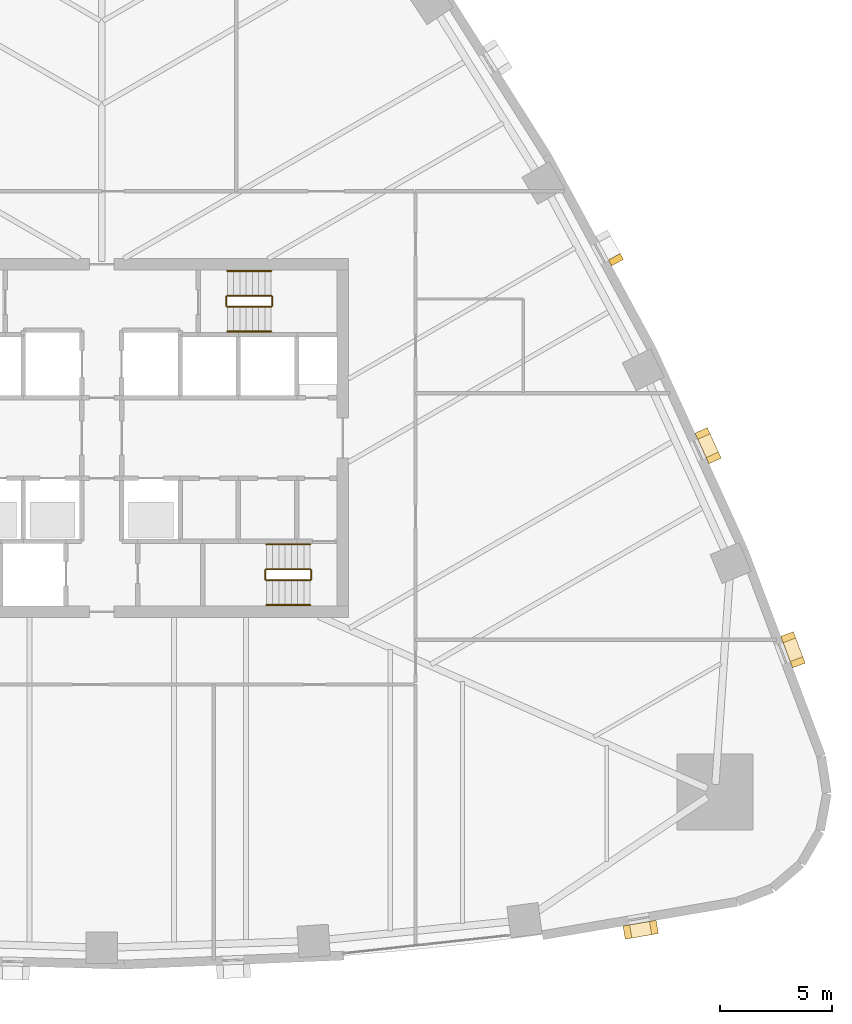
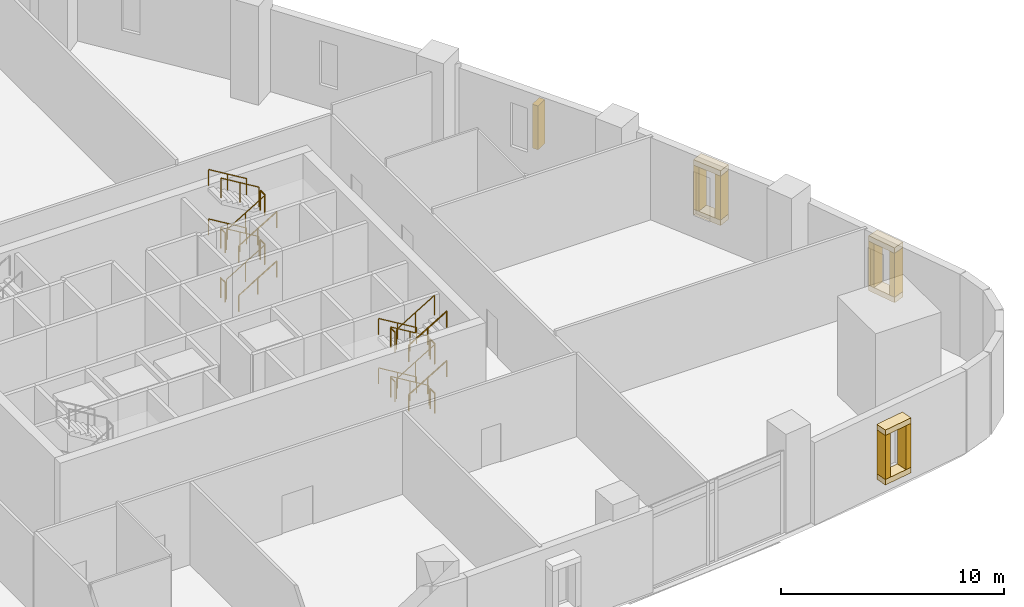
# One storey, part 12 of 14: 24 railings, 13 coverings.
"""IFC4 building model written with IfcOpenShell, lengths in metres."""

from ifc_helpers import new_model, si_unit, direction, frame, origin, origin_2d, place, context, subcontext, project, spatial, rectangle, circle, extrude, material, layer, layer_set, type_object, element, save


model = new_model("IFC4")

# Units and contexts
model_context = context("Model", 3, precision=1e-05, world=origin(), true_north=direction((0.0, 1.0)))
body_context = subcontext(model_context, "Body", "Model", "MODEL_VIEW")
ifc_project = project(units=[si_unit("LENGTHUNIT", "METRE"), si_unit("AREAUNIT", "SQUARE_METRE"), si_unit("VOLUMEUNIT", "CUBIC_METRE"), si_unit("PLANEANGLEUNIT", "RADIAN"), si_unit("MASSUNIT", "GRAM", prefix="KILO")], contexts=[model_context])

# Site, building, storey
site_placement = place(None, origin())
site = spatial("IfcSite", under=ifc_project, at=site_placement, CompositionType="ELEMENT")
building_placement = place(site_placement, origin())
building = spatial("IfcBuilding", under=site, at=building_placement, Name="Sierra Prisma Convention Tower", CompositionType="ELEMENT")
storey_placement = place(building_placement, frame((0.0, 0.0, 16.800048828125)))
storey = spatial("IfcBuildingStorey", under=building, at=storey_placement, Name="L02", CompositionType="ELEMENT", Elevation=16.800048828125)

# Railings
ifc_material_1 = material(Name="Stainless steel", Category="steel")
railing_type_1 = type_object("IfcRailingType", Name="Exit stair handrail", PredefinedType="HANDRAIL", material=ifc_material_1)
railing_1_placement = place(storey_placement, frame((9.300048828125, -4.75, 0.168701171875)))
element("IfcRailing", 1, at=railing_1_placement, inside=storey, type_object=railing_type_1, Name="L02 S2 stair handrail 1", PredefinedType="HANDRAIL", context=body_context, shape_type="SweptSolid", body=[
    extrude(circle(Radius=0.02392578125, at=origin_2d()), frame((0.0, 0.0, 0.8759765625), z_axis=(-0.856493463811, 0.0, 0.516157869696), x_axis=(0.0, -1.0, 0.0)), (0.0, 0.0, 1.0), 2.288330078125),
    extrude(circle(Radius=0.02099609375, at=origin_2d()), origin(), (0.0, 0.0, 1.0), 0.851806640625),
    extrude(circle(Radius=0.02099609375, at=origin_2d()), frame((-0.97998046875, 0.0, 0.590576171875)), (0.0, 0.0, 1.0), 0.851806640625),
    extrude(circle(Radius=0.02099609375, at=origin_2d()), frame((-1.9599609375, 0.0, 1.18115234375)), (0.0, 0.0, 1.0), 0.851806640625),
])
railing_2_placement = place(storey_placement, frame((7.340087890625, -7.449951171875, 1.518798828125)))
element("IfcRailing", 2, at=railing_2_placement, inside=storey, type_object=railing_type_1, Name="L02 S2 stair handrail 2", PredefinedType="HANDRAIL", context=body_context, shape_type="SweptSolid", body=[
    extrude(circle(Radius=0.02392578125, at=origin_2d()), frame((0.0, 0.0, 0.8759765625), z_axis=(0.856493463811, 0.0, 0.516157869696), x_axis=(0.0, 1.0, 0.0)), (0.0, 0.0, 1.0), 2.288330078125),
    extrude(circle(Radius=0.02099609375, at=origin_2d()), origin(), (0.0, 0.0, 1.0), 0.851806640625),
    extrude(circle(Radius=0.02099609375, at=origin_2d()), frame((0.97998046875, 0.0, 0.590576171875)), (0.0, 0.0, 1.0), 0.851806640625),
    extrude(circle(Radius=0.02099609375, at=origin_2d()), frame((1.9599609375, 0.0, 1.18115234375)), (0.0, 0.0, 1.0), 0.851806640625),
])
railing_3_placement = place(storey_placement, frame((9.300048828125, -4.75, 2.86865234375)))
element("IfcRailing", 3, at=railing_3_placement, inside=storey, type_object=railing_type_1, Name="L02 S2 stair handrail 3", PredefinedType="HANDRAIL", context=body_context, shape_type="SweptSolid", body=[
    extrude(circle(Radius=0.02392578125, at=origin_2d()), frame((0.0, 0.0, 0.8759765625), z_axis=(-0.856446297458, 0.0, 0.516236127728), x_axis=(0.0, -1.0, 0.0)), (0.0, 0.0, 1.0), 2.28857421875),
    extrude(circle(Radius=0.02099609375, at=origin_2d()), origin(), (0.0, 0.0, 1.0), 0.851806640625),
    extrude(circle(Radius=0.02099609375, at=origin_2d()), frame((-0.97998046875, 0.0, 0.5908203125)), (0.0, 0.0, 1.0), 0.851806640625),
    extrude(circle(Radius=0.02099609375, at=origin_2d()), frame((-1.9599609375, 0.0, 1.181396484375)), (0.0, 0.0, 1.0), 0.851806640625),
])
for number, where, name in (
    (4, (7.340087890625, -7.449951171875, 4.21875), "L02 S2 stair handrail 4"),
    (5, (5.60009765625, 4.75, 0.168701171875), "L02 S4 stair handrail 1"),
):
    element("IfcRailing", number, at=place(storey_placement, frame(where)), inside=storey, type_object=railing_type_1, Name=name, PredefinedType="HANDRAIL", context=body_context, shape_type="SweptSolid", body=[
        extrude(circle(Radius=0.02392578125, at=origin_2d()), frame((0.0, 0.0, 0.8759765625), z_axis=(0.856493463811, 0.0, 0.516157869696), x_axis=(0.0, 1.0, 0.0)), (0.0, 0.0, 1.0), 2.288330078125),
        extrude(circle(Radius=0.02099609375, at=origin_2d()), origin(), (0.0, 0.0, 1.0), 0.851806640625),
        extrude(circle(Radius=0.02099609375, at=origin_2d()), frame((0.97998046875, 0.0, 0.590576171875)), (0.0, 0.0, 1.0), 0.851806640625),
        extrude(circle(Radius=0.02099609375, at=origin_2d()), frame((1.9599609375, 0.0, 1.18115234375)), (0.0, 0.0, 1.0), 0.851806640625),
    ])
railing_4_placement = place(storey_placement, frame((7.56005859375, 7.449951171875, 1.518798828125)))
element("IfcRailing", 6, at=railing_4_placement, inside=storey, type_object=railing_type_1, Name="L02 S4 stair handrail 2", PredefinedType="HANDRAIL", context=body_context, shape_type="SweptSolid", body=[
    extrude(circle(Radius=0.02392578125, at=origin_2d()), frame((0.0, 0.0, 0.8759765625), z_axis=(-0.856493463811, 0.0, 0.516157869696), x_axis=(0.0, -1.0, 0.0)), (0.0, 0.0, 1.0), 2.288330078125),
    extrude(circle(Radius=0.02099609375, at=origin_2d()), origin(), (0.0, 0.0, 1.0), 0.851806640625),
    extrude(circle(Radius=0.02099609375, at=origin_2d()), frame((-0.97998046875, 0.0, 0.590576171875)), (0.0, 0.0, 1.0), 0.851806640625),
    extrude(circle(Radius=0.02099609375, at=origin_2d()), frame((-1.9599609375, 0.0, 1.18115234375)), (0.0, 0.0, 1.0), 0.851806640625),
])
railing_5_placement = place(storey_placement, frame((5.60009765625, 4.75, 2.86865234375)))
element("IfcRailing", 7, at=railing_5_placement, inside=storey, type_object=railing_type_1, Name="L02 S4 stair handrail 3", PredefinedType="HANDRAIL", context=body_context, shape_type="SweptSolid", body=[
    extrude(circle(Radius=0.02392578125, at=origin_2d()), frame((0.0, 0.0, 0.8759765625), z_axis=(0.856446297458, 0.0, 0.516236127728), x_axis=(0.0, 1.0, 0.0)), (0.0, 0.0, 1.0), 2.28857421875),
    extrude(circle(Radius=0.02099609375, at=origin_2d()), origin(), (0.0, 0.0, 1.0), 0.851806640625),
    extrude(circle(Radius=0.02099609375, at=origin_2d()), frame((0.97998046875, 0.0, 0.5908203125)), (0.0, 0.0, 1.0), 0.851806640625),
    extrude(circle(Radius=0.02099609375, at=origin_2d()), frame((1.9599609375, 0.0, 1.181396484375)), (0.0, 0.0, 1.0), 0.851806640625),
])
railing_6_placement = place(storey_placement, frame((7.56005859375, 7.449951171875, 4.21875)))
element("IfcRailing", 8, at=railing_6_placement, inside=storey, type_object=railing_type_1, Name="L02 S4 stair handrail 4", PredefinedType="HANDRAIL", context=body_context, shape_type="SweptSolid", body=[
    extrude(circle(Radius=0.02392578125, at=origin_2d()), frame((0.0, 0.0, 0.8759765625), z_axis=(-0.856493463811, 0.0, 0.516157869696), x_axis=(0.0, -1.0, 0.0)), (0.0, 0.0, 1.0), 2.288330078125),
    extrude(circle(Radius=0.02099609375, at=origin_2d()), origin(), (0.0, 0.0, 1.0), 0.851806640625),
    extrude(circle(Radius=0.02099609375, at=origin_2d()), frame((-0.97998046875, 0.0, 0.590576171875)), (0.0, 0.0, 1.0), 0.851806640625),
    extrude(circle(Radius=0.02099609375, at=origin_2d()), frame((-1.9599609375, 0.0, 1.18115234375)), (0.0, 0.0, 1.0), 0.851806640625),
])

# Coverings
ifc_material_2 = material(Name="Lime plaster, terracotta pigment", Category="masonry")
ifc_layer = layer(ifc_material_2, 0.300048828125)
ifc_layer_set = layer_set([ifc_layer], Name="Plaster reveal frame")
covering_type = type_object("IfcCoveringType", Name="Plaster reveal frame", PredefinedType="CLADDING", material=ifc_layer_set)
for number, where, z_axis, x_axis, name in (
    (9, (30.626953125, -8.88720703125, 1.199951171875), (0.0, 0.0, 1.0), (0.352586518729, -0.935779219053, 0.0), "Window reveal jamb"),
    (10, (31.050048828125, -10.010009765625, 1.199951171875), (0.0, 0.0, 1.0), (0.352586518729, -0.935779219053, 0.0), "Window reveal jamb"),
):
    element("IfcCovering", number, at=place(storey_placement, frame(where, z_axis=z_axis, x_axis=x_axis)), inside=storey, type_object=covering_type, Name=name, PredefinedType="CLADDING", context=body_context, shape_type="SweptSolid", body=[
        extrude(rectangle(XDim=0.300048828125, YDim=0.60009765625, at=origin_2d()), origin(), (0.0, 0.0, 1.0), 2.39990234375),
    ])
for number, where, z_axis, x_axis, name in (
    (11, (30.838623046875, -9.448486328125, 3.60009765625), (0.0, 0.0, 1.0), (0.352586518729, -0.935779219053, 0.0), "Window reveal head"),
    (12, (30.838623046875, -9.448486328125, 0.89990234375), (0.0, 0.0, 1.0), (0.352586518729, -0.935779219053, 0.0), "Window reveal sill"),
):
    element("IfcCovering", number, at=place(storey_placement, frame(where, z_axis=z_axis, x_axis=x_axis)), inside=storey, type_object=covering_type, Name=name, PredefinedType="CLADDING", context=body_context, shape_type="SweptSolid", body=[
        extrude(rectangle(XDim=1.5, YDim=0.60009765625, at=origin_2d()), origin(), (0.0, 0.0, 1.0), 0.300048828125),
    ])
for number, where, z_axis, x_axis, name in (
    (13, (26.802978515625, 0.201904296875, 1.199951171875), (0.0, 0.0, 1.0), (0.415398270891, -0.909639641034, 0.0), "Window reveal jamb"),
    (14, (27.301513671875, -0.8896484375, 1.199951171875), (0.0, 0.0, 1.0), (0.415398270891, -0.909639641034, 0.0), "Window reveal jamb"),
):
    element("IfcCovering", number, at=place(storey_placement, frame(where, z_axis=z_axis, x_axis=x_axis)), inside=storey, type_object=covering_type, Name=name, PredefinedType="CLADDING", context=body_context, shape_type="SweptSolid", body=[
        extrude(rectangle(XDim=0.300048828125, YDim=0.60009765625, at=origin_2d()), origin(), (0.0, 0.0, 1.0), 2.39990234375),
    ])
for number, where, z_axis, x_axis, name in (
    (15, (27.05224609375, -0.34375, 3.60009765625), (0.0, 0.0, 1.0), (0.415398270891, -0.909639641034, 0.0), "Window reveal head"),
    (16, (27.05224609375, -0.34375, 0.89990234375), (0.0, 0.0, 1.0), (0.415398270891, -0.909639641034, 0.0), "Window reveal sill"),
):
    element("IfcCovering", number, at=place(storey_placement, frame(where, z_axis=z_axis, x_axis=x_axis)), inside=storey, type_object=covering_type, Name=name, PredefinedType="CLADDING", context=body_context, shape_type="SweptSolid", body=[
        extrude(rectangle(XDim=1.5, YDim=0.60009765625, at=origin_2d()), origin(), (0.0, 0.0, 1.0), 0.300048828125),
    ])
for number, where, z_axis, x_axis, name in (
    (17, (22.94140625, 7.955078125, 1.199951171875), (0.0, 0.0, 1.0), (0.476256619921, -0.879306335688, 0.0), "Window reveal jamb"),
    (18, (24.634521484375, -21.839111328125, 1.199951171875), (0.0, 0.0, 1.0), (-0.985573787893, -0.169246295731, 0.0), "Window reveal jamb"),
    (19, (23.451904296875, -22.042236328125, 1.199951171875), (0.0, 0.0, 1.0), (-0.985573787893, -0.169246295731, 0.0), "Window reveal jamb"),
):
    element("IfcCovering", number, at=place(storey_placement, frame(where, z_axis=z_axis, x_axis=x_axis)), inside=storey, type_object=covering_type, Name=name, PredefinedType="CLADDING", context=body_context, shape_type="SweptSolid", body=[
        extrude(rectangle(XDim=0.300048828125, YDim=0.60009765625, at=origin_2d()), origin(), (0.0, 0.0, 1.0), 2.39990234375),
    ])
for number, where, z_axis, x_axis, name in (
    (20, (24.043212890625, -21.940673828125, 3.60009765625), (0.0, 0.0, 1.0), (-0.985573787893, -0.169246295731, 0.0), "Window reveal head"),
    (21, (24.043212890625, -21.940673828125, 0.89990234375), (0.0, 0.0, 1.0), (-0.985573787893, -0.169246295731, 0.0), "Window reveal sill"),
):
    element("IfcCovering", number, at=place(storey_placement, frame(where, z_axis=z_axis, x_axis=x_axis)), inside=storey, type_object=covering_type, Name=name, PredefinedType="CLADDING", context=body_context, shape_type="SweptSolid", body=[
        extrude(rectangle(XDim=1.5, YDim=0.60009765625, at=origin_2d()), origin(), (0.0, 0.0, 1.0), 0.300048828125),
    ])

# Railings
ifc_material_3 = material(Name="Stainless steel", Category="steel")
railing_type_2 = type_object("IfcRailingType", Name="Stair guard 1100", PredefinedType="GUARDRAIL", material=ifc_material_3)
railing_7_placement = place(storey_placement, frame((9.300048828125, -5.85009765625, 0.168701171875)))
element("IfcRailing", 22, at=railing_7_placement, inside=storey, type_object=railing_type_2, Name="L02 S2 stair guard 1", PredefinedType="GUARDRAIL", context=body_context, shape_type="SweptSolid", body=[
    extrude(circle(Radius=0.02392578125, at=origin_2d()), frame((0.0, 0.0, 1.076171875), z_axis=(-0.856493463811, 0.0, 0.516157869696), x_axis=(0.0, -1.0, 0.0)), (0.0, 0.0, 1.0), 2.288330078125),
    extrude(circle(Radius=0.02099609375, at=origin_2d()), origin(), (0.0, 0.0, 1.0), 1.052001953125),
    extrude(circle(Radius=0.02099609375, at=origin_2d()), frame((-0.97998046875, 0.0, 0.590576171875)), (0.0, 0.0, 1.0), 1.052001953125),
    extrude(circle(Radius=0.02099609375, at=origin_2d()), frame((-1.9599609375, 0.0, 1.18115234375)), (0.0, 0.0, 1.0), 1.052001953125),
])
railing_8_placement = place(storey_placement, frame((7.2900390625, -5.89990234375, 1.349853515625)))
element("IfcRailing", 23, at=railing_8_placement, inside=storey, type_object=railing_type_2, Name="L02 S2 stair guard 2", PredefinedType="GUARDRAIL", context=body_context, shape_type="SweptSolid", body=[
    extrude(circle(Radius=0.02392578125, at=origin_2d()), frame((0.0, 0.0, 1.076171875), z_axis=(0.0, -1.0, 0.0), x_axis=(1.0, 0.0, 0.0)), (0.0, 0.0, 1.0), 0.400146484375),
    extrude(circle(Radius=0.02099609375, at=origin_2d()), origin(), (0.0, 0.0, 1.0), 1.052001953125),
    extrude(circle(Radius=0.02099609375, at=origin_2d()), frame((0.0, -0.400146484375, 0.0)), (0.0, 0.0, 1.0), 1.052001953125),
])
railing_9_placement = place(storey_placement, frame((7.340087890625, -6.35009765625, 1.518798828125)))
element("IfcRailing", 24, at=railing_9_placement, inside=storey, type_object=railing_type_2, Name="L02 S2 stair guard 3", PredefinedType="GUARDRAIL", context=body_context, shape_type="SweptSolid", body=[
    extrude(circle(Radius=0.02392578125, at=origin_2d()), frame((0.0, 0.0, 1.076171875), z_axis=(0.856493463811, 0.0, 0.516157869696), x_axis=(0.0, 1.0, 0.0)), (0.0, 0.0, 1.0), 2.288330078125),
    extrude(circle(Radius=0.02099609375, at=origin_2d()), origin(), (0.0, 0.0, 1.0), 1.052001953125),
    extrude(circle(Radius=0.02099609375, at=origin_2d()), frame((0.97998046875, 0.0, 0.590576171875)), (0.0, 0.0, 1.0), 1.052001953125),
    extrude(circle(Radius=0.02099609375, at=origin_2d()), frame((1.9599609375, 0.0, 1.18115234375)), (0.0, 0.0, 1.0), 1.052001953125),
])
railing_10_placement = place(storey_placement, frame((9.35009765625, -5.89990234375, 2.699951171875)))
element("IfcRailing", 25, at=railing_10_placement, inside=storey, type_object=railing_type_2, Name="L02 S2 stair guard 4", PredefinedType="GUARDRAIL", context=body_context, shape_type="SweptSolid", body=[
    extrude(circle(Radius=0.02392578125, at=origin_2d()), frame((0.0, 0.0, 1.076171875), z_axis=(0.0, -1.0, 0.0), x_axis=(1.0, 0.0, 0.0)), (0.0, 0.0, 1.0), 0.400146484375),
    extrude(circle(Radius=0.02099609375, at=origin_2d()), origin(), (0.0, 0.0, 1.0), 1.052001953125),
    extrude(circle(Radius=0.02099609375, at=origin_2d()), frame((0.0, -0.400146484375, 0.0)), (0.0, 0.0, 1.0), 1.052001953125),
])
railing_11_placement = place(storey_placement, frame((9.300048828125, -5.85009765625, 2.86865234375)))
element("IfcRailing", 26, at=railing_11_placement, inside=storey, type_object=railing_type_2, Name="L02 S2 stair guard 5", PredefinedType="GUARDRAIL", context=body_context, shape_type="SweptSolid", body=[
    extrude(circle(Radius=0.02392578125, at=origin_2d()), frame((0.0, 0.0, 1.076171875), z_axis=(-0.856446297458, 0.0, 0.516236127728), x_axis=(0.0, -1.0, 0.0)), (0.0, 0.0, 1.0), 2.28857421875),
    extrude(circle(Radius=0.02099609375, at=origin_2d()), origin(), (0.0, 0.0, 1.0), 1.052001953125),
    extrude(circle(Radius=0.02099609375, at=origin_2d()), frame((-0.97998046875, 0.0, 0.5908203125)), (0.0, 0.0, 1.0), 1.052001953125),
    extrude(circle(Radius=0.02099609375, at=origin_2d()), frame((-1.9599609375, 0.0, 1.181396484375)), (0.0, 0.0, 1.0), 1.052001953125),
])
railing_12_placement = place(storey_placement, frame((7.2900390625, -5.89990234375, 4.050048828125)))
element("IfcRailing", 27, at=railing_12_placement, inside=storey, type_object=railing_type_2, Name="L02 S2 stair guard 6", PredefinedType="GUARDRAIL", context=body_context, shape_type="SweptSolid", body=[
    extrude(circle(Radius=0.02392578125, at=origin_2d()), frame((0.0, 0.0, 1.076171875), z_axis=(0.0, -1.0, 0.0), x_axis=(1.0, 0.0, 0.0)), (0.0, 0.0, 1.0), 0.400146484375),
    extrude(circle(Radius=0.02099609375, at=origin_2d()), origin(), (0.0, 0.0, 1.0), 1.052001953125),
    extrude(circle(Radius=0.02099609375, at=origin_2d()), frame((0.0, -0.400146484375, 0.0)), (0.0, 0.0, 1.0), 1.052001953125),
])
railing_13_placement = place(storey_placement, frame((7.340087890625, -6.35009765625, 4.21875)))
element("IfcRailing", 28, at=railing_13_placement, inside=storey, type_object=railing_type_2, Name="L02 S2 stair guard 7", PredefinedType="GUARDRAIL", context=body_context, shape_type="SweptSolid", body=[
    extrude(circle(Radius=0.02392578125, at=origin_2d()), frame((0.0, 0.0, 1.076171875), z_axis=(0.856493463811, 0.0, 0.516157869696), x_axis=(0.0, 1.0, 0.0)), (0.0, 0.0, 1.0), 2.288330078125),
    extrude(circle(Radius=0.02099609375, at=origin_2d()), origin(), (0.0, 0.0, 1.0), 1.052001953125),
    extrude(circle(Radius=0.02099609375, at=origin_2d()), frame((0.97998046875, 0.0, 0.590576171875)), (0.0, 0.0, 1.0), 1.052001953125),
    extrude(circle(Radius=0.02099609375, at=origin_2d()), frame((1.9599609375, 0.0, 1.18115234375)), (0.0, 0.0, 1.0), 1.052001953125),
])
railing_14_placement = place(storey_placement, frame((9.35009765625, -5.89990234375, 0.0)))
element("IfcRailing", 29, at=railing_14_placement, inside=storey, type_object=railing_type_2, Name="L02 S2 stair guard 8", PredefinedType="GUARDRAIL", context=body_context, shape_type="SweptSolid", body=[
    extrude(circle(Radius=0.02392578125, at=origin_2d()), frame((0.0, 0.0, 1.076171875), z_axis=(0.0, -1.0, 0.0), x_axis=(1.0, 0.0, 0.0)), (0.0, 0.0, 1.0), 0.400146484375),
    extrude(circle(Radius=0.02099609375, at=origin_2d()), origin(), (0.0, 0.0, 1.0), 1.052001953125),
    extrude(circle(Radius=0.02099609375, at=origin_2d()), frame((0.0, -0.400146484375, 0.0)), (0.0, 0.0, 1.0), 1.052001953125),
])
railing_15_placement = place(storey_placement, frame((5.60009765625, 5.85009765625, 0.168701171875)))
element("IfcRailing", 30, at=railing_15_placement, inside=storey, type_object=railing_type_2, Name="L02 S4 stair guard 1", PredefinedType="GUARDRAIL", context=body_context, shape_type="SweptSolid", body=[
    extrude(circle(Radius=0.02392578125, at=origin_2d()), frame((0.0, 0.0, 1.076171875), z_axis=(0.856493463811, 0.0, 0.516157869696), x_axis=(0.0, 1.0, 0.0)), (0.0, 0.0, 1.0), 2.288330078125),
    extrude(circle(Radius=0.02099609375, at=origin_2d()), origin(), (0.0, 0.0, 1.0), 1.052001953125),
    extrude(circle(Radius=0.02099609375, at=origin_2d()), frame((0.97998046875, 0.0, 0.590576171875)), (0.0, 0.0, 1.0), 1.052001953125),
    extrude(circle(Radius=0.02099609375, at=origin_2d()), frame((1.9599609375, 0.0, 1.18115234375)), (0.0, 0.0, 1.0), 1.052001953125),
])
railing_16_placement = place(storey_placement, frame((7.610107421875, 5.89990234375, 1.349853515625)))
element("IfcRailing", 31, at=railing_16_placement, inside=storey, type_object=railing_type_2, Name="L02 S4 stair guard 2", PredefinedType="GUARDRAIL", context=body_context, shape_type="SweptSolid", body=[
    extrude(circle(Radius=0.02392578125, at=origin_2d()), frame((0.0, 0.0, 1.076171875), z_axis=(0.0, 1.0, 0.0), x_axis=(-1.0, 0.0, 0.0)), (0.0, 0.0, 1.0), 0.400146484375),
    extrude(circle(Radius=0.02099609375, at=origin_2d()), origin(), (0.0, 0.0, 1.0), 1.052001953125),
    extrude(circle(Radius=0.02099609375, at=origin_2d()), frame((0.0, 0.400146484375, 0.0)), (0.0, 0.0, 1.0), 1.052001953125),
])
railing_17_placement = place(storey_placement, frame((7.56005859375, 6.35009765625, 1.518798828125)))
element("IfcRailing", 32, at=railing_17_placement, inside=storey, type_object=railing_type_2, Name="L02 S4 stair guard 3", PredefinedType="GUARDRAIL", context=body_context, shape_type="SweptSolid", body=[
    extrude(circle(Radius=0.02392578125, at=origin_2d()), frame((0.0, 0.0, 1.076171875), z_axis=(-0.856493463811, 0.0, 0.516157869696), x_axis=(0.0, -1.0, 0.0)), (0.0, 0.0, 1.0), 2.288330078125),
    extrude(circle(Radius=0.02099609375, at=origin_2d()), origin(), (0.0, 0.0, 1.0), 1.052001953125),
    extrude(circle(Radius=0.02099609375, at=origin_2d()), frame((-0.97998046875, 0.0, 0.590576171875)), (0.0, 0.0, 1.0), 1.052001953125),
    extrude(circle(Radius=0.02099609375, at=origin_2d()), frame((-1.9599609375, 0.0, 1.18115234375)), (0.0, 0.0, 1.0), 1.052001953125),
])
railing_18_placement = place(storey_placement, frame((5.550048828125, 5.89990234375, 2.699951171875)))
element("IfcRailing", 33, at=railing_18_placement, inside=storey, type_object=railing_type_2, Name="L02 S4 stair guard 4", PredefinedType="GUARDRAIL", context=body_context, shape_type="SweptSolid", body=[
    extrude(circle(Radius=0.02392578125, at=origin_2d()), frame((0.0, 0.0, 1.076171875), z_axis=(0.0, 1.0, 0.0), x_axis=(-1.0, 0.0, 0.0)), (0.0, 0.0, 1.0), 0.400146484375),
    extrude(circle(Radius=0.02099609375, at=origin_2d()), origin(), (0.0, 0.0, 1.0), 1.052001953125),
    extrude(circle(Radius=0.02099609375, at=origin_2d()), frame((0.0, 0.400146484375, 0.0)), (0.0, 0.0, 1.0), 1.052001953125),
])
railing_19_placement = place(storey_placement, frame((5.60009765625, 5.85009765625, 2.86865234375)))
element("IfcRailing", 34, at=railing_19_placement, inside=storey, type_object=railing_type_2, Name="L02 S4 stair guard 5", PredefinedType="GUARDRAIL", context=body_context, shape_type="SweptSolid", body=[
    extrude(circle(Radius=0.02392578125, at=origin_2d()), frame((0.0, 0.0, 1.076171875), z_axis=(0.856446297458, 0.0, 0.516236127728), x_axis=(0.0, 1.0, 0.0)), (0.0, 0.0, 1.0), 2.28857421875),
    extrude(circle(Radius=0.02099609375, at=origin_2d()), origin(), (0.0, 0.0, 1.0), 1.052001953125),
    extrude(circle(Radius=0.02099609375, at=origin_2d()), frame((0.97998046875, 0.0, 0.5908203125)), (0.0, 0.0, 1.0), 1.052001953125),
    extrude(circle(Radius=0.02099609375, at=origin_2d()), frame((1.9599609375, 0.0, 1.181396484375)), (0.0, 0.0, 1.0), 1.052001953125),
])
railing_20_placement = place(storey_placement, frame((7.610107421875, 5.89990234375, 4.050048828125)))
element("IfcRailing", 35, at=railing_20_placement, inside=storey, type_object=railing_type_2, Name="L02 S4 stair guard 6", PredefinedType="GUARDRAIL", context=body_context, shape_type="SweptSolid", body=[
    extrude(circle(Radius=0.02392578125, at=origin_2d()), frame((0.0, 0.0, 1.076171875), z_axis=(0.0, 1.0, 0.0), x_axis=(-1.0, 0.0, 0.0)), (0.0, 0.0, 1.0), 0.400146484375),
    extrude(circle(Radius=0.02099609375, at=origin_2d()), origin(), (0.0, 0.0, 1.0), 1.052001953125),
    extrude(circle(Radius=0.02099609375, at=origin_2d()), frame((0.0, 0.400146484375, 0.0)), (0.0, 0.0, 1.0), 1.052001953125),
])
railing_21_placement = place(storey_placement, frame((7.56005859375, 6.35009765625, 4.21875)))
element("IfcRailing", 36, at=railing_21_placement, inside=storey, type_object=railing_type_2, Name="L02 S4 stair guard 7", PredefinedType="GUARDRAIL", context=body_context, shape_type="SweptSolid", body=[
    extrude(circle(Radius=0.02392578125, at=origin_2d()), frame((0.0, 0.0, 1.076171875), z_axis=(-0.856493463811, 0.0, 0.516157869696), x_axis=(0.0, -1.0, 0.0)), (0.0, 0.0, 1.0), 2.288330078125),
    extrude(circle(Radius=0.02099609375, at=origin_2d()), origin(), (0.0, 0.0, 1.0), 1.052001953125),
    extrude(circle(Radius=0.02099609375, at=origin_2d()), frame((-0.97998046875, 0.0, 0.590576171875)), (0.0, 0.0, 1.0), 1.052001953125),
    extrude(circle(Radius=0.02099609375, at=origin_2d()), frame((-1.9599609375, 0.0, 1.18115234375)), (0.0, 0.0, 1.0), 1.052001953125),
])
railing_22_placement = place(storey_placement, frame((5.550048828125, 5.89990234375, 0.0)))
element("IfcRailing", 37, at=railing_22_placement, inside=storey, type_object=railing_type_2, Name="L02 S4 stair guard 8", PredefinedType="GUARDRAIL", context=body_context, shape_type="SweptSolid", body=[
    extrude(circle(Radius=0.02392578125, at=origin_2d()), frame((0.0, 0.0, 1.076171875), z_axis=(0.0, 1.0, 0.0), x_axis=(-1.0, 0.0, 0.0)), (0.0, 0.0, 1.0), 0.400146484375),
    extrude(circle(Radius=0.02099609375, at=origin_2d()), origin(), (0.0, 0.0, 1.0), 1.052001953125),
    extrude(circle(Radius=0.02099609375, at=origin_2d()), frame((0.0, 0.400146484375, 0.0)), (0.0, 0.0, 1.0), 1.052001953125),
])

save(model, "model.ifc")
